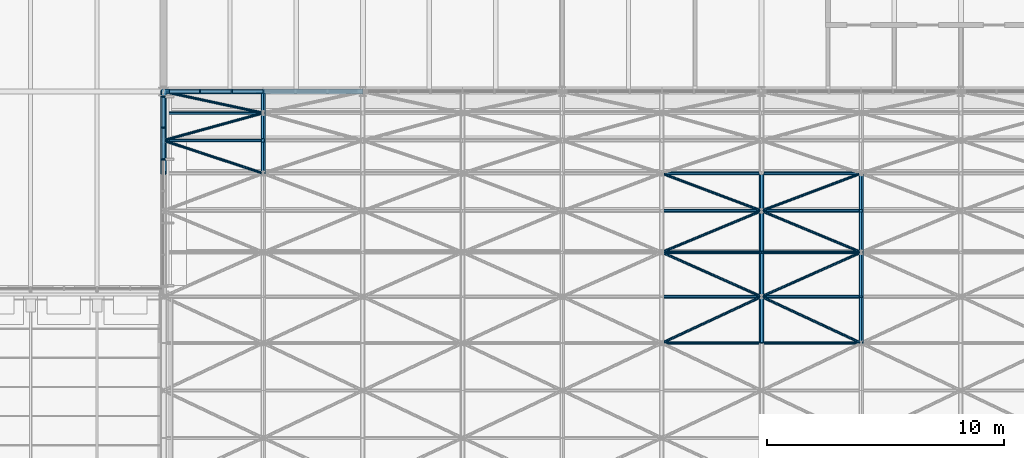
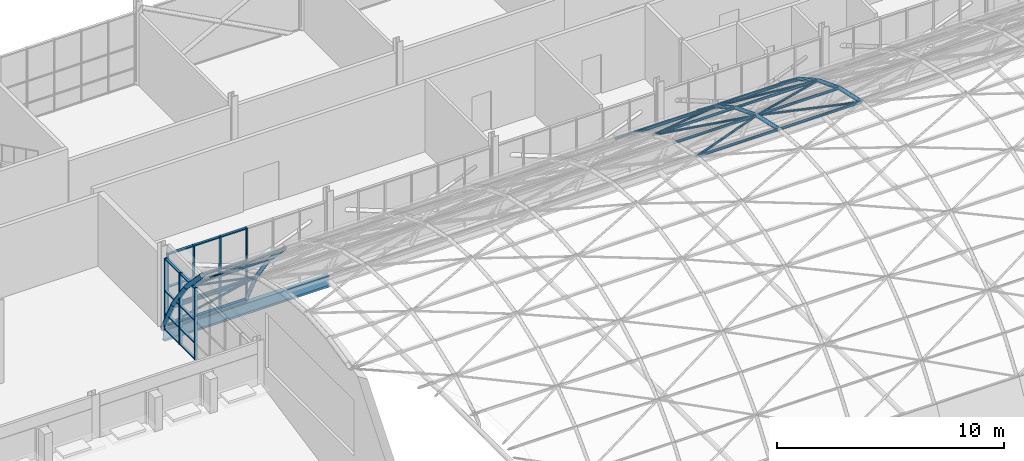
# One storey, part 45 of 121: 65 members, 1 beam, 2 elements without a shape of their own.
"""IFC4 building model written with IfcOpenShell, lengths in metres."""

import ifcopenshell
import ifcopenshell.guid

model = None  # the IFC model being written
_history = None  # IfcOwnerHistory: only IFC2X3 demands one
_inside = {}  # id of a spatial element -> (the spatial element, [elements in it])
_under = {}  # id of a project, library or spatial element -> (it, [spatial elements below it])
_declared = {}  # id of a project -> (the project, [libraries it declares])
_typed = {}  # id of a type object -> (the type object, [elements of that type])
_made_of = {}  # id of a material, layer set ... -> (it, [elements and type objects made of it])


def new_model(schema):
    """Start an empty IFC model of exactly this schema.

    Asked for "IFC4X3", IfcOpenShell would pick the latest addendum, in which some entities
    have other attributes; the version numbers below select the first issue.
    IFC2X3 requires an IfcOwnerHistory on every rooted entity: one is made here for all.
    """
    global model, _history
    if schema == "IFC4X3":
        model = ifcopenshell.file(schema_version=(4, 3, 0, 0))
    else:
        model = ifcopenshell.file(schema=schema)
    _inside.clear()
    _under.clear()
    _declared.clear()
    _typed.clear()
    _made_of.clear()
    _history = None
    if model.schema == "IFC2X3":
        org = make("IfcOrganization", Name="unknown")
        user = make(
            "IfcPersonAndOrganization",
            ThePerson=make("IfcPerson", FamilyName="unknown"),
            TheOrganization=org,
        )
        app = make(
            "IfcApplication",
            ApplicationDeveloper=org,
            Version="unknown",
            ApplicationFullName="unknown",
            ApplicationIdentifier="unknown",
        )
        _history = make(
            "IfcOwnerHistory",
            OwningUser=user,
            OwningApplication=app,
            ChangeAction="ADDED",
            CreationDate=0,
        )
    return model


def make(cls, **values):
    """One entity of the class cls with the attributes given. An attribute that is None is left unset."""
    return model.create_entity(
        cls, **{name: value for name, value in values.items() if value is not None}
    )


def rooted(cls, **values):
    """An entity with a GlobalId (a new one), such as an element, a storey or a relation."""
    return make(cls, GlobalId=ifcopenshell.guid.new(), OwnerHistory=_history, **values)


def si_unit(unit_type, name, prefix=None):
    """IfcSIUnit, for example si_unit("LENGTHUNIT", "METRE", prefix="MILLI")."""
    return make("IfcSIUnit", UnitType=unit_type, Prefix=prefix, Name=name)


def assignment(units):
    """IfcUnitAssignment: the units of a project."""
    return None if units is None else make("IfcUnitAssignment", Units=units)


def point(xyz):
    """IfcCartesianPoint."""
    return None if xyz is None else make("IfcCartesianPoint", Coordinates=xyz)


def direction(xyz):
    """IfcDirection."""
    return None if xyz is None else make("IfcDirection", DirectionRatios=xyz)


def frame(location, z_axis=None, x_axis=None):
    """IfcAxis2Placement3D, a coordinate frame: its origin and axes. An axis left out is left unset."""
    return make(
        "IfcAxis2Placement3D",
        Location=point(location),
        Axis=direction(z_axis),
        RefDirection=direction(x_axis),
    )


def frame_2d(location, x_axis=None):
    """IfcAxis2Placement2D, a coordinate frame in the plane: its origin and x axis."""
    return make(
        "IfcAxis2Placement2D", Location=point(location), RefDirection=direction(x_axis)
    )


def origin():
    """The frame at (0, 0, 0) with its axes left unset."""
    return frame((0.0, 0.0, 0.0))


def origin_2d():
    """The frame at (0, 0) in the plane with its x axis left unset."""
    return frame_2d((0.0, 0.0))


def place(relative_to, where):
    """IfcLocalPlacement: puts the frame where relative to a parent placement (None: the world)."""
    return make(
        "IfcLocalPlacement", PlacementRelTo=relative_to, RelativePlacement=where
    )


def context(
    kind, dimensions, precision=None, world=None, true_north=None, identifier=None
):
    """IfcGeometricRepresentationContext, for example the 3D "Model" context."""
    return make(
        "IfcGeometricRepresentationContext",
        ContextIdentifier=identifier,
        ContextType=kind,
        CoordinateSpaceDimension=dimensions,
        Precision=precision,
        WorldCoordinateSystem=world,
        TrueNorth=true_north,
    )


def subcontext(parent, identifier, kind, view, scale=None):
    """IfcGeometricRepresentationSubContext, for example "Body" below "Model"."""
    return make(
        "IfcGeometricRepresentationSubContext",
        ContextIdentifier=identifier,
        ContextType=kind,
        ParentContext=parent,
        TargetScale=scale,
        TargetView=view,
    )


def project(units=None, contexts=None):
    """IfcProject with its units and contexts."""
    return rooted(
        "IfcProject",
        Name="project",
        RepresentationContexts=contexts,
        UnitsInContext=assignment(units),
    )


def spatial(cls, under=None, at=None, **own):
    """A site, building, storey or space (cls), placed at a placement, below another one or the project."""
    s = rooted(cls, ObjectPlacement=at, **own)
    if under is not None:
        _under.setdefault(under.id(), (under, []))[1].append(s)
    return s


def profile(cls, at=None, kind="AREA", **sizes):
    """A parametric profile (cls). Its sizes go by their IFC names, for example OverallWidth=200.0."""
    return make(cls, ProfileType=kind, Position=at, **sizes)


def rectangle(**sizes):
    """IfcRectangleProfileDef."""
    return profile("IfcRectangleProfileDef", **sizes)


def hollow_circle(**sizes):
    """IfcCircleHollowProfileDef."""
    return profile("IfcCircleHollowProfileDef", **sizes)


def i_section(**sizes):
    """IfcIShapeProfileDef."""
    return profile("IfcIShapeProfileDef", **sizes)


def extrude(swept, where, along, depth):
    """IfcExtrudedAreaSolid: the profile swept, set in the frame where, extruded along a direction by depth."""
    return make(
        "IfcExtrudedAreaSolid",
        SweptArea=swept,
        Position=where,
        ExtrudedDirection=direction(along),
        Depth=depth,
    )


def shape(context_of_items, identifier, shape_type, items):
    """IfcShapeRepresentation: the items that make up one representation, for example the "Body"."""
    return make(
        "IfcShapeRepresentation",
        ContextOfItems=context_of_items,
        RepresentationIdentifier=identifier,
        RepresentationType=shape_type,
        Items=items,
    )


def material(Name=None, Category=None):
    """IfcMaterial."""
    return make("IfcMaterial", Name=Name, Category=Category)


def layer(
    of_material, thickness, ventilated=None, Name=None, Category=None, Priority=None
):
    """IfcMaterialLayer: one layer of a wall or slab, of a material (None: an air gap)."""
    return make(
        "IfcMaterialLayer",
        Material=of_material,
        LayerThickness=thickness,
        IsVentilated=ventilated,
        Name=Name,
        Category=Category,
        Priority=Priority,
    )


def layer_set(layers, Name=None):
    """IfcMaterialLayerSet."""
    return make("IfcMaterialLayerSet", MaterialLayers=layers, LayerSetName=Name)


def material_profile(
    of_material, cross_section, Name=None, Category=None, Priority=None
):
    """IfcMaterialProfile: a cross section and its material."""
    return make(
        "IfcMaterialProfile",
        Name=Name,
        Material=of_material,
        Profile=cross_section,
        Priority=Priority,
        Category=Category,
    )


def profile_set(profiles, Name=None, composite=None):
    """IfcMaterialProfileSet."""
    return make(
        "IfcMaterialProfileSet",
        Name=Name,
        MaterialProfiles=profiles,
        CompositeProfile=composite,
    )


def made_of(thing, what):
    """Note that an element or type object is made of a material, layer set ...; save() writes the relation."""
    if what is not None:
        _made_of.setdefault(what.id(), (what, []))[1].append(thing)
    return thing


def type_object(cls, material=None, **own):
    """A type object (cls), such as IfcWallType, which elements share."""
    return made_of(rooted(cls, **own), material)


def element(
    cls,
    number,
    at=None,
    inside=None,
    cuts=None,
    type_object=None,
    material=None,
    context=None,
    identifier="Body",
    shape_type=None,
    held_by="IfcProductDefinitionShape",
    body=None,
    shapes=None,
    **own,
):
    """One element of the class cls, such as IfcWall. Its Tag is "e" and its number.

    at: its placement. inside: the storey or other place that contains it. cuts: it is an
    opening in that element (IfcRelVoidsElement). A single representation is given by context,
    identifier, shape_type and body (its items); several are given by shapes. held_by: the class
    of the entity that holds the representations. save() writes the other relations.
    """
    e = rooted(cls, Tag="e%d" % number, ObjectPlacement=at, **own)
    if body is not None:
        shapes = [shape(context, identifier, shape_type, body)]
    if shapes is not None:
        e.Representation = make(held_by, Representations=shapes)
    if inside is not None:
        _inside.setdefault(inside.id(), (inside, []))[1].append(e)
    if cuts is not None:
        rooted(
            "IfcRelVoidsElement", RelatingBuildingElement=cuts, RelatedOpeningElement=e
        )
    if type_object is not None:
        _typed.setdefault(type_object.id(), (type_object, []))[1].append(e)
    return made_of(e, material)


def aggregate(whole, parts):
    """IfcRelAggregates: a whole, such as a stair, and the parts it consists of."""
    return rooted("IfcRelAggregates", RelatingObject=whole, RelatedObjects=parts)


def save(model, path):
    """Write the relations noted so far, then the file.

    IfcRelAggregates (storeys below a building ...), IfcRelContainedInSpatialStructure (elements
    in a storey), IfcRelDefinesByType, IfcRelAssociatesMaterial and IfcRelDeclares: one each for
    every whole, place, type object, material and project.
    """
    for whole, parts in _under.values():
        aggregate(whole, parts)
    for where, things in _inside.values():
        rooted(
            "IfcRelContainedInSpatialStructure",
            RelatedElements=things,
            RelatingStructure=where,
        )
    for kind, things in _typed.values():
        rooted("IfcRelDefinesByType", RelatedObjects=things, RelatingType=kind)
    for what, things in _made_of.values():
        rooted("IfcRelAssociatesMaterial", RelatedObjects=things, RelatingMaterial=what)
    for by, libraries in _declared.values():
        rooted("IfcRelDeclares", RelatingContext=by, RelatedDefinitions=libraries)
    model.write(path)


model = new_model("IFC4")

# Units and contexts
model_context = context("Model", 3, precision=1e-05, world=origin(), true_north=direction((0.0, 1.0)))
body_context = subcontext(model_context, "Body", "Model", "MODEL_VIEW")
ifc_project = project(units=[si_unit("LENGTHUNIT", "METRE"), si_unit("AREAUNIT", "SQUARE_METRE"), si_unit("VOLUMEUNIT", "CUBIC_METRE"), si_unit("PLANEANGLEUNIT", "RADIAN"), si_unit("MASSUNIT", "GRAM", prefix="KILO")], contexts=[model_context])

# Site, building, storey
site_placement = place(None, origin())
site = spatial("IfcSite", under=ifc_project, at=site_placement, CompositionType="ELEMENT")
building_placement = place(site_placement, origin())
building = spatial("IfcBuilding", under=site, at=building_placement, Name="Ardhachandra Cancer Care Centre", CompositionType="ELEMENT")
storey_placement = place(building_placement, frame((0.0, 0.0, 9.0)))
storey = spatial("IfcBuildingStorey", under=building, at=storey_placement, Name="L02", CompositionType="ELEMENT", Elevation=9.0)

# Beam
ifc_material_1 = material(Name="Steel E350 (IS 2062)", Category="steel")
ifc_material_profile_1 = material_profile(ifc_material_1, i_section(OverallWidth=0.22412109375, OverallDepth=0.610107421875, WebThickness=0.014892578125, FlangeThickness=0.02392578125, FilletRadius=0.02392578125, at=origin_2d()), Name="NPB 600x220x154.46")
ifc_profile_set_1 = profile_set([ifc_material_profile_1], Name="Steel E350 (IS 2062)")
beam_type = type_object("IfcBeamType", Name="Beam NPB 600x220x154.46", PredefinedType="BEAM", material=ifc_profile_set_1)
beam_placement = place(storey_placement, frame((44.39990234375, 79.800048828125, -0.41455078125), z_axis=(1.0, 0.0, 0.0), x_axis=(0.0, 1.0, 0.0)))
element("IfcBeam", 1, at=beam_placement, inside=storey, type_object=beam_type, Name="Shell edge beam J5-J6", PredefinedType="BEAM", context=body_context, shape_type="SweptSolid", body=[
    extrude(i_section(OverallWidth=0.22412109375, OverallDepth=0.610107421875, WebThickness=0.014892578125, FlangeThickness=0.02392578125, FilletRadius=0.02392578125, at=origin_2d()), origin(), (0.0, 0.0, 1.0), 8.400146484375),
])

# Curtain wall, members
ifc_material_2 = material(Name="Aluminium extrusion", Category="aluminium")
ifc_layer = layer(ifc_material_2, 0.14990234375)
ifc_layer_set = layer_set([ifc_layer], Name="Aluminium extrusion")
curtain_wall_type = type_object("IfcCurtainWallType", Name="Curtain wall run", PredefinedType="NOTDEFINED", material=ifc_layer_set)
curtain_wall_1_placement = place(storey_placement, origin())
curtain_wall_1 = element("IfcCurtainWall", 2, at=curtain_wall_1_placement, inside=storey, type_object=curtain_wall_type, Name="Curtain wall L02 e/0044400_0071400", PredefinedType="NOTDEFINED")
ifc_material_3 = material(Name="Aluminium extrusion", Category="aluminium")
ifc_material_profile_2 = material_profile(ifc_material_3, rectangle(XDim=0.159912109375, YDim=0.06005859375, at=origin_2d()), Name="Curtain wall mullion 60 x 160")
ifc_profile_set_2 = profile_set([ifc_material_profile_2], Name="Aluminium extrusion")
member_type_1 = type_object("IfcMemberType", Name="Curtain wall mullion 60 x 160", PredefinedType="MULLION", material=ifc_profile_set_2)
member_1_placement = place(storey_placement, frame((44.39990234375, 76.938720703125, 0.0), z_axis=(0.0, 0.0, 1.0), x_axis=(-1.0, 0.0, 0.0)))
member_1 = element("IfcMember", 3, at=member_1_placement, type_object=member_type_1, Name="CW mullion 5", PredefinedType="MULLION", context=body_context, shape_type="SweptSolid", body=[
    extrude(rectangle(XDim=0.159912109375, YDim=0.06005859375, at=origin_2d()), origin(), (0.0, 0.0, 1.0), 3.85009765625),
])
member_2_placement = place(storey_placement, frame((44.39990234375, 78.27734375, 0.0), z_axis=(0.0, 0.0, 1.0), x_axis=(-1.0, 0.0, 0.0)))
member_2 = element("IfcMember", 4, at=member_2_placement, type_object=member_type_1, Name="CW mullion 6", PredefinedType="MULLION", context=body_context, shape_type="SweptSolid", body=[
    extrude(rectangle(XDim=0.159912109375, YDim=0.06005859375, at=origin_2d()), origin(), (0.0, 0.0, 1.0), 3.85009765625),
])
member_3_placement = place(storey_placement, frame((44.39990234375, 79.5859375, 0.0), z_axis=(0.0, 0.0, 1.0), x_axis=(-1.0, 0.0, 0.0)))
member_3 = element("IfcMember", 5, at=member_3_placement, type_object=member_type_1, Name="CW mullion 7", PredefinedType="MULLION", context=body_context, shape_type="SweptSolid", body=[
    extrude(rectangle(XDim=0.159912109375, YDim=0.06005859375, at=origin_2d()), origin(), (0.0, 0.0, 1.0), 3.85009765625),
])

curtain_wall_2_placement = place(storey_placement, origin())
curtain_wall_2 = element("IfcCurtainWall", 6, at=curtain_wall_2_placement, inside=storey, type_object=curtain_wall_type, Name="Curtain wall L02 s/0044400_0079800", PredefinedType="NOTDEFINED")
member_4_placement = place(storey_placement, frame((44.62548828125, 79.800048828125, 0.0), z_axis=(0.0, 0.0, 1.0), x_axis=(0.0, 1.0, 0.0)))
member_4 = element("IfcMember", 7, at=member_4_placement, type_object=member_type_1, Name="CW mullion 1", PredefinedType="MULLION", context=body_context, shape_type="SweptSolid", body=[
    extrude(rectangle(XDim=0.159912109375, YDim=0.06005859375, at=origin_2d()), origin(), (0.0, 0.0, 1.0), 3.885986328125),
])
member_5_placement = place(storey_placement, frame((45.93798828125, 79.800048828125, 0.0), z_axis=(0.0, 0.0, 1.0), x_axis=(0.0, 1.0, 0.0)))
member_5 = element("IfcMember", 8, at=member_5_placement, type_object=member_type_1, Name="CW mullion 2", PredefinedType="MULLION", context=body_context, shape_type="SweptSolid", body=[
    extrude(rectangle(XDim=0.159912109375, YDim=0.06005859375, at=origin_2d()), origin(), (0.0, 0.0, 1.0), 3.885986328125),
])
member_6_placement = place(storey_placement, frame((47.2802734375, 79.800048828125, 0.0), z_axis=(0.0, 0.0, 1.0), x_axis=(0.0, 1.0, 0.0)))
member_6 = element("IfcMember", 9, at=member_6_placement, type_object=member_type_1, Name="CW mullion 3", PredefinedType="MULLION", context=body_context, shape_type="SweptSolid", body=[
    extrude(rectangle(XDim=0.159912109375, YDim=0.06005859375, at=origin_2d()), origin(), (0.0, 0.0, 1.0), 3.885986328125),
])
member_7_placement = place(storey_placement, frame((48.622802734375, 79.800048828125, 0.0), z_axis=(0.0, 0.0, 1.0), x_axis=(0.0, 1.0, 0.0)))
member_7 = element("IfcMember", 10, at=member_7_placement, type_object=member_type_1, Name="CW mullion 4", PredefinedType="MULLION", context=body_context, shape_type="SweptSolid", body=[
    extrude(rectangle(XDim=0.159912109375, YDim=0.06005859375, at=origin_2d()), origin(), (0.0, 0.0, 1.0), 3.885986328125),
])

# Member
ifc_material_4 = material(Name="Aluminium extrusion", Category="aluminium")
ifc_material_profile_3 = material_profile(ifc_material_4, rectangle(XDim=0.1201171875, YDim=0.06005859375, at=origin_2d()), Name="Curtain wall transom 60 x 120")
ifc_profile_set_3 = profile_set([ifc_material_profile_3], Name="Aluminium extrusion")
member_type_2 = type_object("IfcMemberType", Name="Curtain wall transom 60 x 120", PredefinedType="USERDEFINED", material=ifc_profile_set_3)
member_8_placement = place(storey_placement, frame((44.39990234375, 76.96875, 0.030029296875), z_axis=(0.0, 1.0, 0.0), x_axis=(-1.0, 0.0, 0.0)))
member_8 = element("IfcMember", 11, at=member_8_placement, type_object=member_type_2, Name="CW transom 5.1", ObjectType="TRANSOM", PredefinedType="USERDEFINED", context=body_context, shape_type="SweptSolid", body=[
    extrude(rectangle(XDim=0.1201171875, YDim=0.06005859375, at=origin_2d()), origin(), (0.0, 0.0, 1.0), 1.278564453125),
])

member_9_placement = place(storey_placement, frame((44.39990234375, 76.96875, 0.89990234375), z_axis=(0.0, 1.0, 0.0), x_axis=(-1.0, 0.0, 0.0)))
member_9 = element("IfcMember", 12, at=member_9_placement, type_object=member_type_2, Name="CW transom 5.2", ObjectType="TRANSOM", PredefinedType="USERDEFINED", context=body_context, shape_type="SweptSolid", body=[
    extrude(rectangle(XDim=0.1201171875, YDim=0.06005859375, at=origin_2d()), origin(), (0.0, 0.0, 1.0), 1.278564453125),
])

member_10_placement = place(storey_placement, frame((44.39990234375, 76.96875, 2.10009765625), z_axis=(0.0, 1.0, 0.0), x_axis=(-1.0, 0.0, 0.0)))
member_10 = element("IfcMember", 13, at=member_10_placement, type_object=member_type_2, Name="CW transom 5.3", ObjectType="TRANSOM", PredefinedType="USERDEFINED", context=body_context, shape_type="SweptSolid", body=[
    extrude(rectangle(XDim=0.1201171875, YDim=0.06005859375, at=origin_2d()), origin(), (0.0, 0.0, 1.0), 1.278564453125),
])

member_11_placement = place(storey_placement, frame((44.39990234375, 76.96875, 3.820068359375), z_axis=(0.0, 1.0, 0.0), x_axis=(-1.0, 0.0, 0.0)))
member_11 = element("IfcMember", 14, at=member_11_placement, type_object=member_type_2, Name="CW transom 5.4", ObjectType="TRANSOM", PredefinedType="USERDEFINED", context=body_context, shape_type="SweptSolid", body=[
    extrude(rectangle(XDim=0.1201171875, YDim=0.06005859375, at=origin_2d()), origin(), (0.0, 0.0, 1.0), 1.278564453125),
])

member_12_placement = place(storey_placement, frame((44.39990234375, 78.307373046875, 0.030029296875), z_axis=(0.0, 1.0, 0.0), x_axis=(-1.0, 0.0, 0.0)))
member_12 = element("IfcMember", 15, at=member_12_placement, type_object=member_type_2, Name="CW transom 6.1", ObjectType="TRANSOM", PredefinedType="USERDEFINED", context=body_context, shape_type="SweptSolid", body=[
    extrude(rectangle(XDim=0.1201171875, YDim=0.06005859375, at=origin_2d()), origin(), (0.0, 0.0, 1.0), 1.24853515625),
])

member_13_placement = place(storey_placement, frame((44.39990234375, 78.307373046875, 0.89990234375), z_axis=(0.0, 1.0, 0.0), x_axis=(-1.0, 0.0, 0.0)))
member_13 = element("IfcMember", 16, at=member_13_placement, type_object=member_type_2, Name="CW transom 6.2", ObjectType="TRANSOM", PredefinedType="USERDEFINED", context=body_context, shape_type="SweptSolid", body=[
    extrude(rectangle(XDim=0.1201171875, YDim=0.06005859375, at=origin_2d()), origin(), (0.0, 0.0, 1.0), 1.24853515625),
])

member_14_placement = place(storey_placement, frame((44.39990234375, 78.307373046875, 2.10009765625), z_axis=(0.0, 1.0, 0.0), x_axis=(-1.0, 0.0, 0.0)))
member_14 = element("IfcMember", 17, at=member_14_placement, type_object=member_type_2, Name="CW transom 6.3", ObjectType="TRANSOM", PredefinedType="USERDEFINED", context=body_context, shape_type="SweptSolid", body=[
    extrude(rectangle(XDim=0.1201171875, YDim=0.06005859375, at=origin_2d()), origin(), (0.0, 0.0, 1.0), 1.24853515625),
])

member_15_placement = place(storey_placement, frame((44.39990234375, 78.307373046875, 3.820068359375), z_axis=(0.0, 1.0, 0.0), x_axis=(-1.0, 0.0, 0.0)))
member_15 = element("IfcMember", 18, at=member_15_placement, type_object=member_type_2, Name="CW transom 6.4", ObjectType="TRANSOM", PredefinedType="USERDEFINED", context=body_context, shape_type="SweptSolid", body=[
    extrude(rectangle(XDim=0.1201171875, YDim=0.06005859375, at=origin_2d()), origin(), (0.0, 0.0, 1.0), 1.24853515625),
])

aggregate(curtain_wall_1, [member_1, member_2, member_3, member_8, member_9, member_10, member_11, member_12, member_13, member_14, member_15])

member_16_placement = place(storey_placement, frame((44.655517578125, 79.800048828125, 0.030029296875), z_axis=(1.0, 0.0, 0.0), x_axis=(0.0, 1.0, 0.0)))
member_16 = element("IfcMember", 19, at=member_16_placement, type_object=member_type_2, Name="CW transom 1.1", ObjectType="TRANSOM", PredefinedType="USERDEFINED", context=body_context, shape_type="SweptSolid", body=[
    extrude(rectangle(XDim=0.1201171875, YDim=0.06005859375, at=origin_2d()), origin(), (0.0, 0.0, 1.0), 1.25244140625),
])

member_17_placement = place(storey_placement, frame((44.655517578125, 79.800048828125, 0.89990234375), z_axis=(1.0, 0.0, 0.0), x_axis=(0.0, 1.0, 0.0)))
member_17 = element("IfcMember", 20, at=member_17_placement, type_object=member_type_2, Name="CW transom 1.2", ObjectType="TRANSOM", PredefinedType="USERDEFINED", context=body_context, shape_type="SweptSolid", body=[
    extrude(rectangle(XDim=0.1201171875, YDim=0.06005859375, at=origin_2d()), origin(), (0.0, 0.0, 1.0), 1.25244140625),
])

member_18_placement = place(storey_placement, frame((44.655517578125, 79.800048828125, 2.10009765625), z_axis=(1.0, 0.0, 0.0), x_axis=(0.0, 1.0, 0.0)))
member_18 = element("IfcMember", 21, at=member_18_placement, type_object=member_type_2, Name="CW transom 1.3", ObjectType="TRANSOM", PredefinedType="USERDEFINED", context=body_context, shape_type="SweptSolid", body=[
    extrude(rectangle(XDim=0.1201171875, YDim=0.06005859375, at=origin_2d()), origin(), (0.0, 0.0, 1.0), 1.25244140625),
])

member_19_placement = place(storey_placement, frame((44.655517578125, 79.800048828125, 3.85595703125), z_axis=(1.0, 0.0, 0.0), x_axis=(0.0, 1.0, 0.0)))
member_19 = element("IfcMember", 22, at=member_19_placement, type_object=member_type_2, Name="CW transom 1.4", ObjectType="TRANSOM", PredefinedType="USERDEFINED", context=body_context, shape_type="SweptSolid", body=[
    extrude(rectangle(XDim=0.1201171875, YDim=0.06005859375, at=origin_2d()), origin(), (0.0, 0.0, 1.0), 1.25244140625),
])

member_20_placement = place(storey_placement, frame((45.968017578125, 79.800048828125, 0.030029296875), z_axis=(1.0, 0.0, 0.0), x_axis=(0.0, 1.0, 0.0)))
member_20 = element("IfcMember", 23, at=member_20_placement, type_object=member_type_2, Name="CW transom 2.1", ObjectType="TRANSOM", PredefinedType="USERDEFINED", context=body_context, shape_type="SweptSolid", body=[
    extrude(rectangle(XDim=0.1201171875, YDim=0.06005859375, at=origin_2d()), origin(), (0.0, 0.0, 1.0), 1.2822265625),
])

member_21_placement = place(storey_placement, frame((45.968017578125, 79.800048828125, 0.89990234375), z_axis=(1.0, 0.0, 0.0), x_axis=(0.0, 1.0, 0.0)))
member_21 = element("IfcMember", 24, at=member_21_placement, type_object=member_type_2, Name="CW transom 2.2", ObjectType="TRANSOM", PredefinedType="USERDEFINED", context=body_context, shape_type="SweptSolid", body=[
    extrude(rectangle(XDim=0.1201171875, YDim=0.06005859375, at=origin_2d()), origin(), (0.0, 0.0, 1.0), 1.2822265625),
])

member_22_placement = place(storey_placement, frame((45.968017578125, 79.800048828125, 2.10009765625), z_axis=(1.0, 0.0, 0.0), x_axis=(0.0, 1.0, 0.0)))
member_22 = element("IfcMember", 25, at=member_22_placement, type_object=member_type_2, Name="CW transom 2.3", ObjectType="TRANSOM", PredefinedType="USERDEFINED", context=body_context, shape_type="SweptSolid", body=[
    extrude(rectangle(XDim=0.1201171875, YDim=0.06005859375, at=origin_2d()), origin(), (0.0, 0.0, 1.0), 1.2822265625),
])

member_23_placement = place(storey_placement, frame((45.968017578125, 79.800048828125, 3.85595703125), z_axis=(1.0, 0.0, 0.0), x_axis=(0.0, 1.0, 0.0)))
member_23 = element("IfcMember", 26, at=member_23_placement, type_object=member_type_2, Name="CW transom 2.4", ObjectType="TRANSOM", PredefinedType="USERDEFINED", context=body_context, shape_type="SweptSolid", body=[
    extrude(rectangle(XDim=0.1201171875, YDim=0.06005859375, at=origin_2d()), origin(), (0.0, 0.0, 1.0), 1.2822265625),
])

member_24_placement = place(storey_placement, frame((47.310302734375, 79.800048828125, 0.030029296875), z_axis=(1.0, 0.0, 0.0), x_axis=(0.0, 1.0, 0.0)))
member_24 = element("IfcMember", 27, at=member_24_placement, type_object=member_type_2, Name="CW transom 3.1", ObjectType="TRANSOM", PredefinedType="USERDEFINED", context=body_context, shape_type="SweptSolid", body=[
    extrude(rectangle(XDim=0.1201171875, YDim=0.06005859375, at=origin_2d()), origin(), (0.0, 0.0, 1.0), 1.282470703125),
])

member_25_placement = place(storey_placement, frame((47.310302734375, 79.800048828125, 0.89990234375), z_axis=(1.0, 0.0, 0.0), x_axis=(0.0, 1.0, 0.0)))
member_25 = element("IfcMember", 28, at=member_25_placement, type_object=member_type_2, Name="CW transom 3.2", ObjectType="TRANSOM", PredefinedType="USERDEFINED", context=body_context, shape_type="SweptSolid", body=[
    extrude(rectangle(XDim=0.1201171875, YDim=0.06005859375, at=origin_2d()), origin(), (0.0, 0.0, 1.0), 1.282470703125),
])

member_26_placement = place(storey_placement, frame((47.310302734375, 79.800048828125, 2.10009765625), z_axis=(1.0, 0.0, 0.0), x_axis=(0.0, 1.0, 0.0)))
member_26 = element("IfcMember", 29, at=member_26_placement, type_object=member_type_2, Name="CW transom 3.3", ObjectType="TRANSOM", PredefinedType="USERDEFINED", context=body_context, shape_type="SweptSolid", body=[
    extrude(rectangle(XDim=0.1201171875, YDim=0.06005859375, at=origin_2d()), origin(), (0.0, 0.0, 1.0), 1.282470703125),
])

member_27_placement = place(storey_placement, frame((47.310302734375, 79.800048828125, 3.85595703125), z_axis=(1.0, 0.0, 0.0), x_axis=(0.0, 1.0, 0.0)))
member_27 = element("IfcMember", 30, at=member_27_placement, type_object=member_type_2, Name="CW transom 3.4", ObjectType="TRANSOM", PredefinedType="USERDEFINED", context=body_context, shape_type="SweptSolid", body=[
    extrude(rectangle(XDim=0.1201171875, YDim=0.06005859375, at=origin_2d()), origin(), (0.0, 0.0, 1.0), 1.282470703125),
])

aggregate(curtain_wall_2, [member_4, member_5, member_6, member_7, member_16, member_17, member_18, member_19, member_20, member_21, member_22, member_23, member_24, member_25, member_26, member_27])

# Members
ifc_material_5 = material(Name="Steel E350 (IS 2062)", Category="steel")
ifc_material_profile_4 = material_profile(ifc_material_5, hollow_circle(Radius=0.05712890625, WallThickness=0.0048828125, at=origin_2d()), Name="CHS 114.3x5.0")
ifc_profile_set_4 = profile_set([ifc_material_profile_4], Name="Steel E350 (IS 2062)")
member_type_3 = type_object("IfcMemberType", Name="Hall shell Diagonal CHS 114.3x5.0", PredefinedType="BRACE", material=ifc_profile_set_4)
for number, where, z_axis, x_axis, name in (
    (31, (48.60009765625, 76.353515625, 4.8759765625), (-0.902466831544, 0.297482527417, -0.311540950508), (-0.313062809615, -0.94973242402, 0.0), "Hall shell diagonal 01-13"),
    (32, (44.39990234375, 77.738037109375, 3.426025390625), (0.902471059448, 0.24859395203, -0.351776966093), (-0.26556803985, 0.964092120189, 0.0), "Hall shell diagonal 00-14"),
    (33, (48.60009765625, 78.89501953125, 1.788818359375), (-0.902473268411, 0.194458754127, -0.384353733879), (-0.210638782481, -0.977563963797, 0.0), "Hall shell diagonal 01-15"),
    (34, (65.39990234375, 69.19921875, 8.252685546875), (0.902464567995, 0.420335304775, -0.094212181128), (-0.422213249889, 0.906496537014, 0.0), "Hall shell diagonal 05-09"),
    (35, (69.60009765625, 71.155517578125, 7.814208984375), (-0.902476632176, 0.401980843546, -0.154749248135), (-0.406882236734, -0.913480621267, 0.0), "Hall shell diagonal 06-10"),
    (36, (65.39990234375, 73.0263671875, 7.093994140625), (0.90245948097, 0.375010627148, -0.21197621266), (-0.383730980501, 0.923444927759, 0.0), "Hall shell diagonal 05-11"),
    (37, (69.60009765625, 74.771728515625, 6.107421875), (-0.90248245832, 0.33987350892, -0.264596693779), (-0.352434573121, -0.935836455621, 0.0), "Hall shell diagonal 06-12"),
):
    element("IfcMember", number, at=place(storey_placement, frame(where, z_axis=z_axis, x_axis=x_axis)), inside=storey, type_object=member_type_3, Name=name, PredefinedType="BRACE", context=body_context, shape_type="SweptSolid", body=[
        extrude(hollow_circle(Radius=0.05712890625, WallThickness=0.0048828125, at=origin_2d()), origin(), (0.0, 0.0, 1.0), 4.654052734375),
    ])
for number, where, z_axis, x_axis, name in (
    (38, (73.800048828125, 69.19921875, 8.252685546875), (-0.902454833565, 0.420355204404, -0.094216641346), (-0.422233417443, -0.906487143425, 0.0), "Hall shell diagonal 07-09"),
    (39, (69.60009765625, 71.155517578125, 7.814208984375), (0.902466898758, 0.401999874742, -0.154756574512), (-0.406901972634, 0.913471830253, 0.0), "Hall shell diagonal 06-10"),
):
    element("IfcMember", number, at=place(storey_placement, frame(where, z_axis=z_axis, x_axis=x_axis)), inside=storey, type_object=member_type_3, Name=name, PredefinedType="BRACE", context=body_context, shape_type="SweptSolid", body=[
        extrude(hollow_circle(Radius=0.05712890625, WallThickness=0.0048828125, at=origin_2d()), origin(), (0.0, 0.0, 1.0), 4.65380859375),
    ])
member_28_placement = place(storey_placement, frame((73.800048828125, 73.0263671875, 7.093994140625), z_axis=(-0.902449746112, 0.375028380803, -0.211986247982), x_axis=(-0.383750001753, -0.923437023383, 0.0)))
element("IfcMember", 40, at=member_28_placement, inside=storey, type_object=member_type_3, Name="Hall shell diagonal 07-11", PredefinedType="BRACE", context=body_context, shape_type="SweptSolid", body=[
    extrude(hollow_circle(Radius=0.05712890625, WallThickness=0.0048828125, at=origin_2d()), origin(), (0.0, 0.0, 1.0), 4.654052734375),
])
member_29_placement = place(storey_placement, frame((69.60009765625, 74.771728515625, 6.107421875), z_axis=(0.902472725391, 0.339889599942, -0.264609220884), x_axis=(-0.352452515066, 0.935829698515, 0.0)))
element("IfcMember", 41, at=member_29_placement, inside=storey, type_object=member_type_3, Name="Hall shell diagonal 06-12", PredefinedType="BRACE", context=body_context, shape_type="SweptSolid", body=[
    extrude(hollow_circle(Radius=0.05712890625, WallThickness=0.0048828125, at=origin_2d()), origin(), (0.0, 0.0, 1.0), 4.65380859375),
])
ifc_material_6 = material(Name="Steel E350 (IS 2062)", Category="steel")
ifc_material_profile_5 = material_profile(ifc_material_6, hollow_circle(Radius=0.06982421875, WallThickness=0.0048828125, at=origin_2d()), Name="CHS 139.7x5.0")
ifc_profile_set_5 = profile_set([ifc_material_profile_5], Name="Steel E350 (IS 2062)")
member_type_4 = type_object("IfcMemberType", Name="Hall shell Purlin CHS 139.7x5.0", PredefinedType="PURLIN", material=ifc_profile_set_5)
member_30_placement = place(storey_placement, frame((65.39990234375, 69.19921875, 8.252685546875), z_axis=(1.0, 0.0, 0.0), x_axis=(0.0, 1.0, 0.0)))
element("IfcMember", 42, at=member_30_placement, inside=storey, type_object=member_type_4, Name="Hall shell purlin 05-09", PredefinedType="PURLIN", context=body_context, shape_type="SweptSolid", body=[
    extrude(hollow_circle(Radius=0.06982421875, WallThickness=0.0048828125, at=origin_2d()), origin(), (0.0, 0.0, 1.0), 4.2001953125),
])
member_31_placement = place(storey_placement, frame((69.60009765625, 69.19921875, 8.252685546875), z_axis=(1.0, 0.0, 0.0), x_axis=(0.0, 1.0, 0.0)))
element("IfcMember", 43, at=member_31_placement, inside=storey, type_object=member_type_4, Name="Hall shell purlin 06-09", PredefinedType="PURLIN", context=body_context, shape_type="SweptSolid", body=[
    extrude(hollow_circle(Radius=0.06982421875, WallThickness=0.0048828125, at=origin_2d()), origin(), (0.0, 0.0, 1.0), 4.199951171875),
])
member_32_placement = place(storey_placement, frame((65.39990234375, 71.155517578125, 7.814208984375), z_axis=(1.0, 0.0, 0.0), x_axis=(0.0, 1.0, 0.0)))
element("IfcMember", 44, at=member_32_placement, inside=storey, type_object=member_type_4, Name="Hall shell purlin 05-10", PredefinedType="PURLIN", context=body_context, shape_type="SweptSolid", body=[
    extrude(hollow_circle(Radius=0.06982421875, WallThickness=0.0048828125, at=origin_2d()), origin(), (0.0, 0.0, 1.0), 4.2001953125),
])
member_33_placement = place(storey_placement, frame((69.60009765625, 71.155517578125, 7.814208984375), z_axis=(1.0, 0.0, 0.0), x_axis=(0.0, 1.0, 0.0)))
element("IfcMember", 45, at=member_33_placement, inside=storey, type_object=member_type_4, Name="Hall shell purlin 06-10", PredefinedType="PURLIN", context=body_context, shape_type="SweptSolid", body=[
    extrude(hollow_circle(Radius=0.06982421875, WallThickness=0.0048828125, at=origin_2d()), origin(), (0.0, 0.0, 1.0), 4.199951171875),
])
member_34_placement = place(storey_placement, frame((65.39990234375, 73.0263671875, 7.093994140625), z_axis=(1.0, 0.0, 0.0), x_axis=(0.0, 1.0, 0.0)))
element("IfcMember", 46, at=member_34_placement, inside=storey, type_object=member_type_4, Name="Hall shell purlin 05-11", PredefinedType="PURLIN", context=body_context, shape_type="SweptSolid", body=[
    extrude(hollow_circle(Radius=0.06982421875, WallThickness=0.0048828125, at=origin_2d()), origin(), (0.0, 0.0, 1.0), 4.2001953125),
])
member_35_placement = place(storey_placement, frame((69.60009765625, 73.0263671875, 7.093994140625), z_axis=(1.0, 0.0, 0.0), x_axis=(0.0, 1.0, 0.0)))
element("IfcMember", 47, at=member_35_placement, inside=storey, type_object=member_type_4, Name="Hall shell purlin 06-11", PredefinedType="PURLIN", context=body_context, shape_type="SweptSolid", body=[
    extrude(hollow_circle(Radius=0.06982421875, WallThickness=0.0048828125, at=origin_2d()), origin(), (0.0, 0.0, 1.0), 4.199951171875),
])
member_36_placement = place(storey_placement, frame((65.39990234375, 74.771728515625, 6.107421875), z_axis=(1.0, 0.0, 0.0), x_axis=(0.0, 1.0, 0.0)))
element("IfcMember", 48, at=member_36_placement, inside=storey, type_object=member_type_4, Name="Hall shell purlin 05-12", PredefinedType="PURLIN", context=body_context, shape_type="SweptSolid", body=[
    extrude(hollow_circle(Radius=0.06982421875, WallThickness=0.0048828125, at=origin_2d()), origin(), (0.0, 0.0, 1.0), 4.2001953125),
])
member_37_placement = place(storey_placement, frame((69.60009765625, 74.771728515625, 6.107421875), z_axis=(1.0, 0.0, 0.0), x_axis=(0.0, 1.0, 0.0)))
element("IfcMember", 49, at=member_37_placement, inside=storey, type_object=member_type_4, Name="Hall shell purlin 06-12", PredefinedType="PURLIN", context=body_context, shape_type="SweptSolid", body=[
    extrude(hollow_circle(Radius=0.06982421875, WallThickness=0.0048828125, at=origin_2d()), origin(), (0.0, 0.0, 1.0), 4.199951171875),
])
member_38_placement = place(storey_placement, frame((65.39990234375, 76.353515625, 4.8759765625), z_axis=(1.0, 0.0, 0.0), x_axis=(0.0, 1.0, 0.0)))
element("IfcMember", 50, at=member_38_placement, inside=storey, type_object=member_type_4, Name="Hall shell purlin 05-13", PredefinedType="PURLIN", context=body_context, shape_type="SweptSolid", body=[
    extrude(hollow_circle(Radius=0.06982421875, WallThickness=0.0048828125, at=origin_2d()), origin(), (0.0, 0.0, 1.0), 4.2001953125),
])
member_39_placement = place(storey_placement, frame((69.60009765625, 76.353515625, 4.8759765625), z_axis=(1.0, 0.0, 0.0), x_axis=(0.0, 1.0, 0.0)))
element("IfcMember", 51, at=member_39_placement, inside=storey, type_object=member_type_4, Name="Hall shell purlin 06-13", PredefinedType="PURLIN", context=body_context, shape_type="SweptSolid", body=[
    extrude(hollow_circle(Radius=0.06982421875, WallThickness=0.0048828125, at=origin_2d()), origin(), (0.0, 0.0, 1.0), 4.199951171875),
])
for number, where, z_axis, x_axis, name in (
    (52, (44.39990234375, 77.738037109375, 3.426025390625), (1.0, 0.0, 0.0), (0.0, 1.0, 0.0), "Hall shell purlin 00-14"),
    (53, (44.39990234375, 78.89501953125, 1.788818359375), (1.0, 0.0, 0.0), (0.0, 1.0, 0.0), "Hall shell purlin 00-15"),
):
    element("IfcMember", number, at=place(storey_placement, frame(where, z_axis=z_axis, x_axis=x_axis)), inside=storey, type_object=member_type_4, Name=name, PredefinedType="PURLIN", context=body_context, shape_type="SweptSolid", body=[
        extrude(hollow_circle(Radius=0.06982421875, WallThickness=0.0048828125, at=origin_2d()), origin(), (0.0, 0.0, 1.0), 4.2001953125),
    ])
ifc_material_7 = material(Name="Steel E350 (IS 2062)", Category="steel")
ifc_material_profile_6 = material_profile(ifc_material_7, hollow_circle(Radius=0.109619140625, WallThickness=0.008056640625, at=origin_2d()), Name="CHS 219.1x8.0")
ifc_profile_set_6 = profile_set([ifc_material_profile_6], Name="Steel E350 (IS 2062)")
member_type_5 = type_object("IfcMemberType", Name="Hall shell Purlin CHS 219.1x8.0", PredefinedType="PURLIN", material=ifc_profile_set_6)
member_40_placement = place(storey_placement, frame((44.39990234375, 79.800048828125, 0.0), z_axis=(1.0, 0.0, 0.0), x_axis=(0.0, 1.0, 0.0)))
element("IfcMember", 54, at=member_40_placement, inside=storey, type_object=member_type_5, Name="Hall shell purlin 00-16", PredefinedType="PURLIN", context=body_context, shape_type="SweptSolid", body=[
    extrude(hollow_circle(Radius=0.109619140625, WallThickness=0.008056640625, at=origin_2d()), origin(), (0.0, 0.0, 1.0), 4.2001953125),
])
ifc_material_8 = material(Name="Steel E350 (IS 2062)", Category="steel")
ifc_material_profile_7 = material_profile(ifc_material_8, hollow_circle(Radius=0.096923828125, WallThickness=0.008056640625, at=origin_2d()), Name="CHS 193.7x8.0")
ifc_profile_set_7 = profile_set([ifc_material_profile_7], Name="Steel E350 (IS 2062)")
member_type_6 = type_object("IfcMemberType", Name="Hall shell Rib CHS 193.7x8.0", PredefinedType="RAFTER", material=ifc_profile_set_7)
member_41_placement = place(storey_placement, frame((48.60009765625, 76.353515625, 4.8759765625), z_axis=(0.0, 0.690600278641, -0.723236652239), x_axis=(-1.0, 0.0, 0.0)))
element("IfcMember", 55, at=member_41_placement, inside=storey, type_object=member_type_6, Name="Hall shell rib 01-13", PredefinedType="RAFTER", context=body_context, shape_type="SweptSolid", body=[
    extrude(hollow_circle(Radius=0.096923828125, WallThickness=0.008056640625, at=origin_2d()), origin(), (0.0, 0.0, 1.0), 2.0048828125),
])
for number, where, z_axis, x_axis, name in (
    (56, (48.60009765625, 77.738037109375, 3.426025390625), (0.0, 0.577118207202, -0.816660624076), (-1.0, 0.0, 0.0), "Hall shell rib 01-14"),
    (57, (48.60009765625, 78.89501953125, 1.788818359375), (0.0, 0.451446595645, -0.892298140355), (-1.0, 0.0, 0.0), "Hall shell rib 01-15"),
):
    element("IfcMember", number, at=place(storey_placement, frame(where, z_axis=z_axis, x_axis=x_axis)), inside=storey, type_object=member_type_6, Name=name, PredefinedType="RAFTER", context=body_context, shape_type="SweptSolid", body=[
        extrude(hollow_circle(Radius=0.096923828125, WallThickness=0.008056640625, at=origin_2d()), origin(), (0.0, 0.0, 1.0), 2.004638671875),
    ])
member_42_placement = place(storey_placement, frame((69.60009765625, 69.19921875, 8.252685546875), z_axis=(0.0, 0.9757900251, -0.218709457766), x_axis=(-1.0, 0.0, 0.0)))
element("IfcMember", 58, at=member_42_placement, inside=storey, type_object=member_type_6, Name="Hall shell rib 06-09", PredefinedType="RAFTER", context=body_context, shape_type="SweptSolid", body=[
    extrude(hollow_circle(Radius=0.096923828125, WallThickness=0.008056640625, at=origin_2d()), origin(), (0.0, 0.0, 1.0), 2.0048828125),
])
member_43_placement = place(storey_placement, frame((69.60009765625, 71.155517578125, 7.814208984375), z_axis=(0.0, 0.933235705219, -0.359264691426), x_axis=(-1.0, 0.0, 0.0)))
element("IfcMember", 59, at=member_43_placement, inside=storey, type_object=member_type_6, Name="Hall shell rib 06-10", PredefinedType="RAFTER", context=body_context, shape_type="SweptSolid", body=[
    extrude(hollow_circle(Radius=0.096923828125, WallThickness=0.008056640625, at=origin_2d()), origin(), (0.0, 0.0, 1.0), 2.004638671875),
])
member_44_placement = place(storey_placement, frame((69.60009765625, 73.0263671875, 7.093994140625), z_axis=(0.0, 0.870549230609, -0.492081331779), x_axis=(-1.0, 0.0, 0.0)))
element("IfcMember", 60, at=member_44_placement, inside=storey, type_object=member_type_6, Name="Hall shell rib 06-11", PredefinedType="RAFTER", context=body_context, shape_type="SweptSolid", body=[
    extrude(hollow_circle(Radius=0.096923828125, WallThickness=0.008056640625, at=origin_2d()), origin(), (0.0, 0.0, 1.0), 2.0048828125),
])
member_45_placement = place(storey_placement, frame((69.60009765625, 74.771728515625, 6.107421875), z_axis=(0.0, 0.789070146017, -0.614303104879), x_axis=(-1.0, 0.0, 0.0)))
element("IfcMember", 61, at=member_45_placement, inside=storey, type_object=member_type_6, Name="Hall shell rib 06-12", PredefinedType="RAFTER", context=body_context, shape_type="SweptSolid", body=[
    extrude(hollow_circle(Radius=0.096923828125, WallThickness=0.008056640625, at=origin_2d()), origin(), (0.0, 0.0, 1.0), 2.004638671875),
])
member_46_placement = place(storey_placement, frame((73.800048828125, 69.19921875, 8.252685546875), z_axis=(0.0, 0.9757900251, -0.218709457766), x_axis=(-1.0, 0.0, 0.0)))
element("IfcMember", 62, at=member_46_placement, inside=storey, type_object=member_type_6, Name="Hall shell rib 07-09", PredefinedType="RAFTER", context=body_context, shape_type="SweptSolid", body=[
    extrude(hollow_circle(Radius=0.096923828125, WallThickness=0.008056640625, at=origin_2d()), origin(), (0.0, 0.0, 1.0), 2.0048828125),
])
member_47_placement = place(storey_placement, frame((73.800048828125, 71.155517578125, 7.814208984375), z_axis=(0.0, 0.933235705219, -0.359264691426), x_axis=(-1.0, 0.0, 0.0)))
element("IfcMember", 63, at=member_47_placement, inside=storey, type_object=member_type_6, Name="Hall shell rib 07-10", PredefinedType="RAFTER", context=body_context, shape_type="SweptSolid", body=[
    extrude(hollow_circle(Radius=0.096923828125, WallThickness=0.008056640625, at=origin_2d()), origin(), (0.0, 0.0, 1.0), 2.004638671875),
])
member_48_placement = place(storey_placement, frame((73.800048828125, 73.0263671875, 7.093994140625), z_axis=(0.0, 0.870549230609, -0.492081331779), x_axis=(-1.0, 0.0, 0.0)))
element("IfcMember", 64, at=member_48_placement, inside=storey, type_object=member_type_6, Name="Hall shell rib 07-11", PredefinedType="RAFTER", context=body_context, shape_type="SweptSolid", body=[
    extrude(hollow_circle(Radius=0.096923828125, WallThickness=0.008056640625, at=origin_2d()), origin(), (0.0, 0.0, 1.0), 2.0048828125),
])
member_49_placement = place(storey_placement, frame((73.800048828125, 74.771728515625, 6.107421875), z_axis=(0.0, 0.789070146017, -0.614303104879), x_axis=(-1.0, 0.0, 0.0)))
element("IfcMember", 65, at=member_49_placement, inside=storey, type_object=member_type_6, Name="Hall shell rib 07-12", PredefinedType="RAFTER", context=body_context, shape_type="SweptSolid", body=[
    extrude(hollow_circle(Radius=0.096923828125, WallThickness=0.008056640625, at=origin_2d()), origin(), (0.0, 0.0, 1.0), 2.004638671875),
])
ifc_material_9 = material(Name="Steel E350 (IS 2062)", Category="steel")
ifc_material_profile_8 = material_profile(ifc_material_9, hollow_circle(Radius=0.122314453125, WallThickness=0.010009765625, at=origin_2d()), Name="CHS 244.5x10.0")
ifc_profile_set_8 = profile_set([ifc_material_profile_8], Name="Steel E350 (IS 2062)")
member_type_7 = type_object("IfcMemberType", Name="Hall shell Rib CHS 244.5x10.0", PredefinedType="RAFTER", material=ifc_profile_set_8)
member_50_placement = place(storey_placement, frame((44.39990234375, 76.353515625, 4.8759765625), z_axis=(0.0, 0.690600278641, -0.723236652239), x_axis=(-1.0, 0.0, 0.0)))
element("IfcMember", 66, at=member_50_placement, inside=storey, type_object=member_type_7, Name="Hall shell rib 00-13", PredefinedType="RAFTER", context=body_context, shape_type="SweptSolid", body=[
    extrude(hollow_circle(Radius=0.122314453125, WallThickness=0.010009765625, at=origin_2d()), origin(), (0.0, 0.0, 1.0), 2.0048828125),
])
for number, where, z_axis, x_axis, name in (
    (67, (44.39990234375, 77.738037109375, 3.426025390625), (0.0, 0.577118207202, -0.816660624076), (-1.0, 0.0, 0.0), "Hall shell rib 00-14"),
    (68, (44.39990234375, 78.89501953125, 1.788818359375), (0.0, 0.451446595645, -0.892298140355), (-1.0, 0.0, 0.0), "Hall shell rib 00-15"),
):
    element("IfcMember", number, at=place(storey_placement, frame(where, z_axis=z_axis, x_axis=x_axis)), inside=storey, type_object=member_type_7, Name=name, PredefinedType="RAFTER", context=body_context, shape_type="SweptSolid", body=[
        extrude(hollow_circle(Radius=0.122314453125, WallThickness=0.010009765625, at=origin_2d()), origin(), (0.0, 0.0, 1.0), 2.004638671875),
    ])

save(model, "model.ifc")
